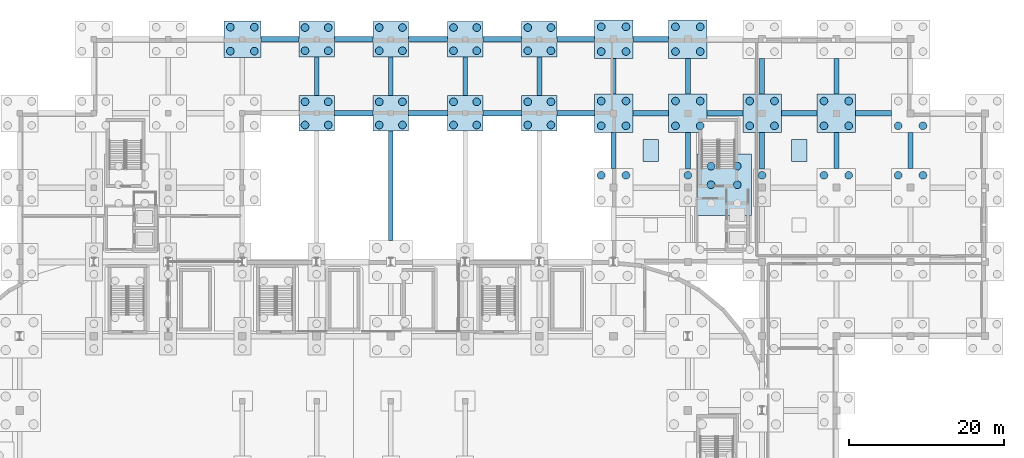
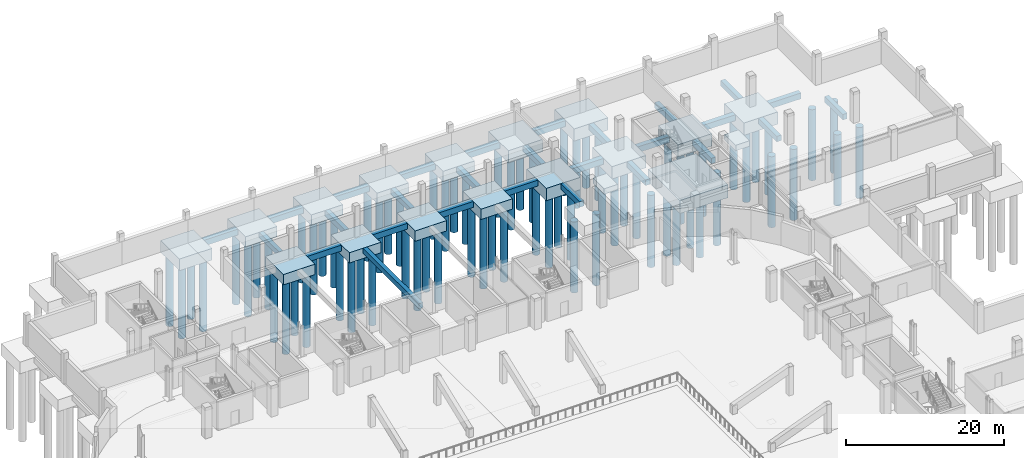
# One storey, part 11 of 67: 74 piles, 46 footings.
"""IFC4 building model written with IfcOpenShell, lengths in metres."""

from ifc_helpers import new_model, si_unit, direction, frame, origin, origin_2d, place, context, subcontext, project, spatial, polyline, rectangle, circle, outline, extrude, material, material_profile, profile_set, type_object, element, save


model = new_model("IFC4")

# Units and contexts
model_context = context("Model", 3, precision=1e-05, world=origin(), true_north=direction((0.0, 1.0)))
body_context = subcontext(model_context, "Body", "Model", "MODEL_VIEW")
ifc_project = project(units=[si_unit("LENGTHUNIT", "METRE"), si_unit("AREAUNIT", "SQUARE_METRE"), si_unit("VOLUMEUNIT", "CUBIC_METRE"), si_unit("PLANEANGLEUNIT", "RADIAN"), si_unit("MASSUNIT", "GRAM", prefix="KILO")], contexts=[model_context])

# Site, building, storey
site_placement = place(None, origin())
site = spatial("IfcSite", under=ifc_project, at=site_placement, CompositionType="ELEMENT")
building_placement = place(site_placement, origin())
building = spatial("IfcBuilding", under=site, at=building_placement, Name="Caelomonte Colonnade Arena", CompositionType="ELEMENT")
storey_placement = place(building_placement, frame((0.0, 0.0, -4.800048828125)))
storey = spatial("IfcBuildingStorey", under=building, at=storey_placement, Name="B1", CompositionType="ELEMENT", Elevation=-4.800048828125)

# Footings
ifc_material = material(Name="Concrete C40/50", Category="concrete")
footing_type_1 = type_object("IfcFootingType", Name="STR-FB-GB02", PredefinedType="FOOTING_BEAM", material=ifc_material)
footing_1_placement = place(storey_placement, frame((0.0, 0.0, -1.349853515625)))
element("IfcFooting", 1, at=footing_1_placement, inside=storey, type_object=footing_type_1, Name="Ground tie beam X (105.6..115.2, Y=134.4)", PredefinedType="FOOTING_BEAM", context=body_context, shape_type="SweptSolid", body=[
    extrude(outline(polyline([(107.89990234375, 134.050048828125), (112.89990234375, 134.050048828125), (112.89990234375, 134.75), (107.89990234375, 134.75), (107.89990234375, 134.050048828125)])), origin(), (0.0, 0.0, 1.0), 0.89990234375),
])
footing_2_placement = place(storey_placement, frame((0.0, 0.0, -1.349853515625)))
element("IfcFooting", 2, at=footing_2_placement, inside=storey, type_object=footing_type_1, Name="Ground tie beam X (115.2..124.8, Y=134.4)", PredefinedType="FOOTING_BEAM", context=body_context, shape_type="SweptSolid", body=[
    extrude(outline(polyline([(117.5, 134.050048828125), (122.5, 134.050048828125), (122.5, 134.75), (117.5, 134.75), (117.5, 134.050048828125)])), origin(), (0.0, 0.0, 1.0), 0.89990234375),
])
footing_3_placement = place(storey_placement, frame((0.0, 0.0, -1.349853515625)))
element("IfcFooting", 3, at=footing_3_placement, inside=storey, type_object=footing_type_1, Name="Ground tie beam X (124.8..134.4, Y=134.4)", PredefinedType="FOOTING_BEAM", context=body_context, shape_type="SweptSolid", body=[
    extrude(outline(polyline([(127.10009765625, 134.050048828125), (132.10009765625, 134.050048828125), (132.10009765625, 134.75), (127.10009765625, 134.75), (127.10009765625, 134.050048828125)])), origin(), (0.0, 0.0, 1.0), 0.89990234375),
])
footing_4_placement = place(storey_placement, frame((0.0, 0.0, -1.349853515625)))
element("IfcFooting", 4, at=footing_4_placement, inside=storey, type_object=footing_type_1, Name="Ground tie beam X (134.4..144.0, Y=134.4)", PredefinedType="FOOTING_BEAM", context=body_context, shape_type="SweptSolid", body=[
    extrude(outline(polyline([(136.699951171875, 134.050048828125), (141.52001953125, 134.050048828125), (141.52001953125, 134.75), (136.699951171875, 134.75), (136.699951171875, 134.050048828125)])), origin(), (0.0, 0.0, 1.0), 0.89990234375),
])
footing_5_placement = place(storey_placement, frame((0.0, 0.0, -1.349853515625)))
element("IfcFooting", 5, at=footing_5_placement, inside=storey, type_object=footing_type_1, Name="Ground tie beam X (144.0..153.6, Y=134.4)", PredefinedType="FOOTING_BEAM", context=body_context, shape_type="SweptSolid", body=[
    extrude(outline(polyline([(146.47998046875, 134.050048828125), (151.1201171875, 134.050048828125), (151.1201171875, 134.75), (146.47998046875, 134.75), (146.47998046875, 134.050048828125)])), origin(), (0.0, 0.0, 1.0), 0.89990234375),
])
footing_6_placement = place(storey_placement, frame((0.0, 0.0, -1.349853515625)))
element("IfcFooting", 6, at=footing_6_placement, inside=storey, type_object=footing_type_1, Name="Ground tie beam X (153.6..163.2, Y=134.4)", PredefinedType="FOOTING_BEAM", context=body_context, shape_type="SweptSolid", body=[
    extrude(outline(polyline([(156.080078125, 134.050048828125), (160.719970703125, 134.050048828125), (160.719970703125, 134.75), (156.080078125, 134.75), (156.080078125, 134.050048828125)])), origin(), (0.0, 0.0, 1.0), 0.89990234375),
])
footing_7_placement = place(storey_placement, frame((0.0, 0.0, -1.349853515625)))
element("IfcFooting", 7, at=footing_7_placement, inside=storey, type_object=footing_type_1, Name="Ground tie beam X (163.2..172.8, Y=134.4)", PredefinedType="FOOTING_BEAM", context=body_context, shape_type="SweptSolid", body=[
    extrude(outline(polyline([(165.679931640625, 134.050048828125), (170.320068359375, 134.050048828125), (170.320068359375, 134.75), (165.679931640625, 134.75), (165.679931640625, 134.050048828125)])), origin(), (0.0, 0.0, 1.0), 0.89990234375),
])
footing_8_placement = place(storey_placement, frame((0.0, 0.0, -1.349853515625)))
element("IfcFooting", 8, at=footing_8_placement, inside=storey, type_object=footing_type_1, Name="Ground tie beam X (172.8..182.4, Y=134.4)", PredefinedType="FOOTING_BEAM", context=body_context, shape_type="SweptSolid", body=[
    extrude(outline(polyline([(175.280029296875, 134.050048828125), (179.919921875, 134.050048828125), (179.919921875, 134.75), (175.280029296875, 134.75), (175.280029296875, 134.050048828125)])), origin(), (0.0, 0.0, 1.0), 0.89990234375),
])
footing_9_placement = place(storey_placement, frame((0.0, 0.0, -1.349853515625)))
element("IfcFooting", 9, at=footing_9_placement, inside=storey, type_object=footing_type_1, Name="Ground tie beam X (96.0..105.6, Y=144.0)", PredefinedType="FOOTING_BEAM", context=body_context, shape_type="SweptSolid", body=[
    extrude(outline(polyline([(98.3798828125, 143.64990234375), (103.300048828125, 143.64990234375), (103.300048828125, 144.35009765625), (98.3798828125, 144.35009765625), (98.3798828125, 143.64990234375)])), origin(), (0.0, 0.0, 1.0), 0.89990234375),
])
footing_10_placement = place(storey_placement, frame((0.0, 0.0, -1.349853515625)))
element("IfcFooting", 10, at=footing_10_placement, inside=storey, type_object=footing_type_1, Name="Ground tie beam X (105.6..115.2, Y=144.0)", PredefinedType="FOOTING_BEAM", context=body_context, shape_type="SweptSolid", body=[
    extrude(outline(polyline([(107.89990234375, 143.64990234375), (112.89990234375, 143.64990234375), (112.89990234375, 144.35009765625), (107.89990234375, 144.35009765625), (107.89990234375, 143.64990234375)])), origin(), (0.0, 0.0, 1.0), 0.89990234375),
])
footing_11_placement = place(storey_placement, frame((0.0, 0.0, -1.349853515625)))
element("IfcFooting", 11, at=footing_11_placement, inside=storey, type_object=footing_type_1, Name="Ground tie beam X (115.2..124.8, Y=144.0)", PredefinedType="FOOTING_BEAM", context=body_context, shape_type="SweptSolid", body=[
    extrude(outline(polyline([(117.5, 143.64990234375), (122.5, 143.64990234375), (122.5, 144.35009765625), (117.5, 144.35009765625), (117.5, 143.64990234375)])), origin(), (0.0, 0.0, 1.0), 0.89990234375),
])
footing_12_placement = place(storey_placement, frame((0.0, 0.0, -1.349853515625)))
element("IfcFooting", 12, at=footing_12_placement, inside=storey, type_object=footing_type_1, Name="Ground tie beam X (124.8..134.4, Y=144.0)", PredefinedType="FOOTING_BEAM", context=body_context, shape_type="SweptSolid", body=[
    extrude(outline(polyline([(127.10009765625, 143.64990234375), (132.10009765625, 143.64990234375), (132.10009765625, 144.35009765625), (127.10009765625, 144.35009765625), (127.10009765625, 143.64990234375)])), origin(), (0.0, 0.0, 1.0), 0.89990234375),
])
footing_13_placement = place(storey_placement, frame((0.0, 0.0, -1.349853515625)))
element("IfcFooting", 13, at=footing_13_placement, inside=storey, type_object=footing_type_1, Name="Ground tie beam X (134.4..144.0, Y=144.0)", PredefinedType="FOOTING_BEAM", context=body_context, shape_type="SweptSolid", body=[
    extrude(outline(polyline([(136.699951171875, 143.64990234375), (141.52001953125, 143.64990234375), (141.52001953125, 144.35009765625), (136.699951171875, 144.35009765625), (136.699951171875, 143.64990234375)])), origin(), (0.0, 0.0, 1.0), 0.89990234375),
])
footing_14_placement = place(storey_placement, frame((0.0, 0.0, -1.349853515625)))
element("IfcFooting", 14, at=footing_14_placement, inside=storey, type_object=footing_type_1, Name="Ground tie beam X (144.0..153.6, Y=144.0)", PredefinedType="FOOTING_BEAM", context=body_context, shape_type="SweptSolid", body=[
    extrude(outline(polyline([(146.47998046875, 143.64990234375), (151.1201171875, 143.64990234375), (151.1201171875, 144.35009765625), (146.47998046875, 144.35009765625), (146.47998046875, 143.64990234375)])), origin(), (0.0, 0.0, 1.0), 0.89990234375),
])
footing_type_2 = type_object("IfcFootingType", Name="STR-FB-GB03", PredefinedType="FOOTING_BEAM", material=ifc_material)
footing_15_placement = place(storey_placement, frame((0.0, 0.0, -1.300048828125)))
element("IfcFooting", 15, at=footing_15_placement, inside=storey, type_object=footing_type_2, Name="Ground tie beam Y (X=134.4, 134.4..144.0)", PredefinedType="FOOTING_BEAM", context=body_context, shape_type="SweptSolid", body=[
    extrude(outline(polyline([(134.074951171875, 136.699951171875), (134.72509765625, 136.699951171875), (134.72509765625, 141.699951171875), (134.074951171875, 141.699951171875), (134.074951171875, 136.699951171875)])), origin(), (0.0, 0.0, 1.0), 0.85009765625),
])
footing_16_placement = place(storey_placement, frame((0.0, 0.0, -1.300048828125)))
element("IfcFooting", 16, at=footing_16_placement, inside=storey, type_object=footing_type_2, Name="Ground tie beam Y (X=144.0, 124.8..134.4)", PredefinedType="FOOTING_BEAM", context=body_context, shape_type="SweptSolid", body=[
    extrude(outline(polyline([(143.675048828125, 127.280029296875), (144.324951171875, 127.280029296875), (144.324951171875, 131.919921875), (143.675048828125, 131.919921875), (143.675048828125, 127.280029296875)])), origin(), (0.0, 0.0, 1.0), 0.85009765625),
])
footing_17_placement = place(storey_placement, frame((0.0, 0.0, -1.300048828125)))
element("IfcFooting", 17, at=footing_17_placement, inside=storey, type_object=footing_type_2, Name="Ground tie beam Y (X=144.0, 134.4..144.0)", PredefinedType="FOOTING_BEAM", context=body_context, shape_type="SweptSolid", body=[
    extrude(outline(polyline([(143.675048828125, 136.8798828125), (144.324951171875, 136.8798828125), (144.324951171875, 141.52001953125), (143.675048828125, 141.52001953125), (143.675048828125, 136.8798828125)])), origin(), (0.0, 0.0, 1.0), 0.85009765625),
])
footing_18_placement = place(storey_placement, frame((0.0, 0.0, -1.300048828125)))
element("IfcFooting", 18, at=footing_18_placement, inside=storey, type_object=footing_type_2, Name="Ground tie beam Y (X=153.6, 124.8..134.4)", PredefinedType="FOOTING_BEAM", context=body_context, shape_type="SweptSolid", body=[
    extrude(outline(polyline([(153.27490234375, 127.239990234375), (153.925048828125, 127.239990234375), (153.925048828125, 131.919921875), (153.27490234375, 131.919921875), (153.27490234375, 127.239990234375)])), origin(), (0.0, 0.0, 1.0), 0.85009765625),
])
footing_19_placement = place(storey_placement, frame((0.0, 0.0, -1.300048828125)))
element("IfcFooting", 19, at=footing_19_placement, inside=storey, type_object=footing_type_2, Name="Ground tie beam Y (X=153.6, 134.4..144.0)", PredefinedType="FOOTING_BEAM", context=body_context, shape_type="SweptSolid", body=[
    extrude(outline(polyline([(153.27490234375, 136.8798828125), (153.925048828125, 136.8798828125), (153.925048828125, 141.52001953125), (153.27490234375, 141.52001953125), (153.27490234375, 136.8798828125)])), origin(), (0.0, 0.0, 1.0), 0.85009765625),
])
footing_20_placement = place(storey_placement, frame((0.0, 0.0, -1.300048828125)))
element("IfcFooting", 20, at=footing_20_placement, inside=storey, type_object=footing_type_2, Name="Ground tie beam Y (X=163.2, 124.8..134.4)", PredefinedType="FOOTING_BEAM", context=body_context, shape_type="SweptSolid", body=[
    extrude(outline(polyline([(162.875, 127.239990234375), (163.52490234375, 127.239990234375), (163.52490234375, 131.919921875), (162.875, 131.919921875), (162.875, 127.239990234375)])), origin(), (0.0, 0.0, 1.0), 0.85009765625),
])
footing_21_placement = place(storey_placement, frame((0.0, 0.0, -1.300048828125)))
element("IfcFooting", 21, at=footing_21_placement, inside=storey, type_object=footing_type_2, Name="Ground tie beam Y (X=163.2, 134.4..144.0)", PredefinedType="FOOTING_BEAM", context=body_context, shape_type="SweptSolid", body=[
    extrude(outline(polyline([(162.875, 136.8798828125), (163.52490234375, 136.8798828125), (163.52490234375, 141.52001953125), (162.875, 141.52001953125), (162.875, 136.8798828125)])), origin(), (0.0, 0.0, 1.0), 0.85009765625),
])
footing_22_placement = place(storey_placement, frame((0.0, 0.0, -1.300048828125)))
element("IfcFooting", 22, at=footing_22_placement, inside=storey, type_object=footing_type_2, Name="Ground tie beam Y (X=172.8, 124.8..134.4)", PredefinedType="FOOTING_BEAM", context=body_context, shape_type="SweptSolid", body=[
    extrude(outline(polyline([(172.47509765625, 127.280029296875), (173.125, 127.280029296875), (173.125, 131.919921875), (172.47509765625, 131.919921875), (172.47509765625, 127.280029296875)])), origin(), (0.0, 0.0, 1.0), 0.85009765625),
])
footing_23_placement = place(storey_placement, frame((0.0, 0.0, -1.300048828125)))
element("IfcFooting", 23, at=footing_23_placement, inside=storey, type_object=footing_type_2, Name="Ground tie beam Y (X=172.8, 134.4..144.0)", PredefinedType="FOOTING_BEAM", context=body_context, shape_type="SweptSolid", body=[
    extrude(outline(polyline([(172.47509765625, 136.8798828125), (173.125, 136.8798828125), (173.125, 141.52001953125), (172.47509765625, 141.52001953125), (172.47509765625, 136.8798828125)])), origin(), (0.0, 0.0, 1.0), 0.85009765625),
])
footing_24_placement = place(storey_placement, frame((0.0, 0.0, -1.300048828125)))
element("IfcFooting", 24, at=footing_24_placement, inside=storey, type_object=footing_type_2, Name="Ground tie beam Y (X=182.4, 124.8..134.4)", PredefinedType="FOOTING_BEAM", context=body_context, shape_type="SweptSolid", body=[
    extrude(outline(polyline([(182.074951171875, 127.280029296875), (182.72509765625, 127.280029296875), (182.72509765625, 131.919921875), (182.074951171875, 131.919921875), (182.074951171875, 127.280029296875)])), origin(), (0.0, 0.0, 1.0), 0.85009765625),
])
footing_type_3 = type_object("IfcFootingType", Name="STR-FB-GB04", PredefinedType="FOOTING_BEAM", material=ifc_material)
footing_25_placement = place(storey_placement, frame((0.0, 0.0, -1.25)))
element("IfcFooting", 25, at=footing_25_placement, inside=storey, type_object=footing_type_3, Name="Ground tie beam Y (X=105.6, 134.4..144.0)", PredefinedType="FOOTING_BEAM", context=body_context, shape_type="SweptSolid", body=[
    extrude(outline(polyline([(105.300048828125, 136.699951171875), (105.89990234375, 136.699951171875), (105.89990234375, 141.699951171875), (105.300048828125, 141.699951171875), (105.300048828125, 136.699951171875)])), origin(), (0.0, 0.0, 1.0), 0.800048828125),
])
footing_26_placement = place(storey_placement, frame((0.0, 0.0, -1.25)))
element("IfcFooting", 26, at=footing_26_placement, inside=storey, type_object=footing_type_3, Name="Ground tie beam Y (X=115.2, 115.2..134.4)", PredefinedType="FOOTING_BEAM", context=body_context, shape_type="SweptSolid", body=[
    extrude(outline(polyline([(114.89990234375, 118.0), (115.5, 118.0), (115.5, 132.10009765625), (114.89990234375, 132.10009765625), (114.89990234375, 118.0)])), origin(), (0.0, 0.0, 1.0), 0.800048828125),
])
footing_27_placement = place(storey_placement, frame((0.0, 0.0, -1.25)))
element("IfcFooting", 27, at=footing_27_placement, inside=storey, type_object=footing_type_3, Name="Ground tie beam Y (X=115.2, 134.4..144.0)", PredefinedType="FOOTING_BEAM", context=body_context, shape_type="SweptSolid", body=[
    extrude(outline(polyline([(114.89990234375, 136.699951171875), (115.5, 136.699951171875), (115.5, 141.699951171875), (114.89990234375, 141.699951171875), (114.89990234375, 136.699951171875)])), origin(), (0.0, 0.0, 1.0), 0.800048828125),
])
footing_28_placement = place(storey_placement, frame((0.0, 0.0, -1.25)))
element("IfcFooting", 28, at=footing_28_placement, inside=storey, type_object=footing_type_3, Name="Ground tie beam Y (X=124.8, 134.4..144.0)", PredefinedType="FOOTING_BEAM", context=body_context, shape_type="SweptSolid", body=[
    extrude(outline(polyline([(124.5, 136.699951171875), (125.10009765625, 136.699951171875), (125.10009765625, 141.699951171875), (124.5, 141.699951171875), (124.5, 136.699951171875)])), origin(), (0.0, 0.0, 1.0), 0.800048828125),
])
footing_type_4 = type_object("IfcFootingType", Name="STR-FC-PC03", PredefinedType="PILE_CAP", material=ifc_material)
for number, where, z_axis, x_axis, name in (
    (29, (144.0, 134.39990234375, -2.349853515625), (0.0, 0.0, 1.0), (1.0, 0.0, 0.0), "Pile cap FC-1440-1344"),
    (30, (144.0, 144.0, -2.349853515625), (0.0, 0.0, 1.0), (1.0, 0.0, 0.0), "Pile cap FC-1440-1440"),
    (31, (153.60009765625, 134.39990234375, -2.349853515625), (0.0, 0.0, 1.0), (1.0, 0.0, 0.0), "Pile cap FC-1536-1344"),
    (32, (153.60009765625, 144.0, -2.349853515625), (0.0, 0.0, 1.0), (1.0, 0.0, 0.0), "Pile cap FC-1536-1440"),
    (33, (163.199951171875, 134.39990234375, -2.349853515625), (0.0, 0.0, 1.0), (1.0, 0.0, 0.0), "Pile cap FC-1632-1344"),
    (34, (172.800048828125, 134.39990234375, -2.349853515625), (0.0, 0.0, 1.0), (1.0, 0.0, 0.0), "Pile cap FC-1728-1344"),
):
    element("IfcFooting", number, at=place(storey_placement, frame(where, z_axis=z_axis, x_axis=x_axis)), inside=storey, type_object=footing_type_4, Name=name, PredefinedType="PILE_CAP", context=body_context, shape_type="SweptSolid", body=[
        extrude(rectangle(XDim=4.9599609375, YDim=4.9599609375, at=origin_2d()), origin(), (0.0, 0.0, 1.0), 1.89990234375),
    ])
footing_type_5 = type_object("IfcFootingType", Name="STR-FC-PC04", PredefinedType="PILE_CAP", material=ifc_material)
footing_29_placement = place(storey_placement, frame((96.0, 144.0, -2.25), z_axis=(0.0, 0.0, 1.0), x_axis=(1.0, 0.0, 0.0)))
element("IfcFooting", 35, at=footing_29_placement, inside=storey, type_object=footing_type_5, Name="Pile cap FC-0960-1440", PredefinedType="PILE_CAP", context=body_context, shape_type="SweptSolid", body=[
    extrude(rectangle(XDim=4.760009765625, YDim=4.760009765625, at=origin_2d()), origin(), (0.0, 0.0, 1.0), 1.800048828125),
])
footing_type_6 = type_object("IfcFootingType", Name="STR-FC-PC09", PredefinedType="PILE_CAP", material=ifc_material)
for number, where, z_axis, x_axis, name in (
    (36, (105.60009765625, 134.39990234375, -2.050048828125), (0.0, 0.0, 1.0), (1.0, 0.0, 0.0), "Pile cap FC-1056-1344"),
    (37, (105.60009765625, 144.0, -2.050048828125), (0.0, 0.0, 1.0), (1.0, 0.0, 0.0), "Pile cap FC-1056-1440"),
    (38, (115.199951171875, 134.39990234375, -2.050048828125), (0.0, 0.0, 1.0), (1.0, 0.0, 0.0), "Pile cap FC-1152-1344"),
    (39, (115.199951171875, 144.0, -2.050048828125), (0.0, 0.0, 1.0), (1.0, 0.0, 0.0), "Pile cap FC-1152-1440"),
    (40, (124.800048828125, 134.39990234375, -2.050048828125), (0.0, 0.0, 1.0), (1.0, 0.0, 0.0), "Pile cap FC-1248-1344"),
    (41, (124.800048828125, 144.0, -2.050048828125), (0.0, 0.0, 1.0), (1.0, 0.0, 0.0), "Pile cap FC-1248-1440"),
    (42, (134.39990234375, 134.39990234375, -2.050048828125), (0.0, 0.0, 1.0), (1.0, 0.0, 0.0), "Pile cap FC-1344-1344"),
    (43, (134.39990234375, 144.0, -2.050048828125), (0.0, 0.0, 1.0), (1.0, 0.0, 0.0), "Pile cap FC-1344-1440"),
):
    element("IfcFooting", number, at=place(storey_placement, frame(where, z_axis=z_axis, x_axis=x_axis)), inside=storey, type_object=footing_type_6, Name=name, PredefinedType="PILE_CAP", context=body_context, shape_type="SweptSolid", body=[
        extrude(rectangle(XDim=4.60009765625, YDim=4.60009765625, at=origin_2d()), origin(), (0.0, 0.0, 1.0), 1.60009765625),
    ])
footing_type_7 = type_object("IfcFootingType", Name="STR-FC-PC11", PredefinedType="PILE_CAP", material=ifc_material)
footing_30_placement = place(storey_placement, frame((158.300048828125, 125.175048828125, -2.449951171875), z_axis=(0.0, 0.0, 1.0), x_axis=(1.0, 0.0, 0.0)))
element("IfcFooting", 44, at=footing_30_placement, inside=storey, type_object=footing_type_7, Name="Core C6 pile cap", PredefinedType="PILE_CAP", context=body_context, shape_type="SweptSolid", body=[
    extrude(rectangle(XDim=7.0, YDim=8.0, at=origin_2d()), origin(), (0.0, 0.0, 1.0), 2.0),
])
footing_type_8 = type_object("IfcFootingType", Name="STR-FD-PF03", PredefinedType="PAD_FOOTING", material=ifc_material)
for number, where, z_axis, x_axis, name in (
    (45, (148.800048828125, 129.60009765625, -1.300048828125), (0.0, 0.0, 1.0), (1.0, 0.0, 0.0), "Equipment pad footing PF-05"),
    (46, (168.0, 129.60009765625, -1.300048828125), (0.0, 0.0, 1.0), (1.0, 0.0, 0.0), "Equipment pad footing PF-06"),
):
    element("IfcFooting", number, at=place(storey_placement, frame(where, z_axis=z_axis, x_axis=x_axis)), inside=storey, type_object=footing_type_8, Name=name, PredefinedType="PAD_FOOTING", context=body_context, shape_type="SweptSolid", body=[
        extrude(rectangle(XDim=2.0, YDim=2.800048828125, at=origin_2d()), origin(), (0.0, 0.0, 1.0), 0.85009765625),
    ])

# Piles
ifc_material_profile = material_profile(ifc_material, circle(Radius=0.5, at=origin_2d()), Name="PILE-D1000")
ifc_profile_set = profile_set([ifc_material_profile], Name="Concrete C40/50")
pile_type = type_object("IfcPileType", Name="STR-PL-D1000", PredefinedType="BORED", material=ifc_profile_set)
for number, where, z_axis, x_axis, name in (
    (47, (156.60009765625, 125.175048828125, -2.349853515625), (0.0, 0.0, -1.0), (1.0, 0.0, 0.0), "Core C6 rock-socketed pile 2"),
    (48, (156.60009765625, 127.574951171875, -2.349853515625), (0.0, 0.0, -1.0), (1.0, 0.0, 0.0), "Core C6 rock-socketed pile 3"),
    (49, (160.0, 125.175048828125, -2.349853515625), (0.0, 0.0, -1.0), (1.0, 0.0, 0.0), "Core C6 rock-socketed pile 5"),
    (50, (160.0, 127.574951171875, -2.349853515625), (0.0, 0.0, -1.0), (1.0, 0.0, 0.0), "Core C6 rock-socketed pile 6"),
):
    element("IfcPile", number, at=place(storey_placement, frame(where, z_axis=z_axis, x_axis=x_axis)), inside=storey, type_object=pile_type, Name=name, PredefinedType="BORED", context=body_context, shape_type="SweptSolid", body=[
        extrude(circle(Radius=0.5, at=origin_2d()), origin(), (0.0, 0.0, 1.0), 10.85009765625),
    ])
for number, where, z_axis, x_axis, name in (
    (51, (94.449951171875, 142.449951171875, -2.14990234375), (0.0, 0.0, -1.0), (1.0, 0.0, 0.0), "Rock-socketed bored pile FC-0960-1440-1"),
    (52, (97.550048828125, 142.449951171875, -2.14990234375), (0.0, 0.0, -1.0), (1.0, 0.0, 0.0), "Rock-socketed bored pile FC-0960-1440-2"),
    (53, (94.449951171875, 145.550048828125, -2.14990234375), (0.0, 0.0, -1.0), (1.0, 0.0, 0.0), "Rock-socketed bored pile FC-0960-1440-3"),
    (54, (97.550048828125, 145.550048828125, -2.14990234375), (0.0, 0.0, -1.0), (1.0, 0.0, 0.0), "Rock-socketed bored pile FC-0960-1440-4"),
):
    element("IfcPile", number, at=place(storey_placement, frame(where, z_axis=z_axis, x_axis=x_axis)), inside=storey, type_object=pile_type, Name=name, PredefinedType="BORED", context=body_context, shape_type="SweptSolid", body=[
        extrude(circle(Radius=0.5, at=origin_2d()), origin(), (0.0, 0.0, 1.0), 11.050048828125),
    ])
for number, where, z_axis, x_axis, name in (
    (55, (104.10009765625, 132.89990234375, -1.949951171875), (0.0, 0.0, -1.0), (1.0, 0.0, 0.0), "Rock-socketed bored pile FC-1056-1344-1"),
    (56, (107.10009765625, 132.89990234375, -1.949951171875), (0.0, 0.0, -1.0), (1.0, 0.0, 0.0), "Rock-socketed bored pile FC-1056-1344-2"),
    (57, (104.10009765625, 135.89990234375, -1.949951171875), (0.0, 0.0, -1.0), (1.0, 0.0, 0.0), "Rock-socketed bored pile FC-1056-1344-3"),
    (58, (107.10009765625, 135.89990234375, -1.949951171875), (0.0, 0.0, -1.0), (1.0, 0.0, 0.0), "Rock-socketed bored pile FC-1056-1344-4"),
    (59, (104.10009765625, 142.5, -1.949951171875), (0.0, 0.0, -1.0), (1.0, 0.0, 0.0), "Rock-socketed bored pile FC-1056-1440-1"),
    (60, (107.10009765625, 142.5, -1.949951171875), (0.0, 0.0, -1.0), (1.0, 0.0, 0.0), "Rock-socketed bored pile FC-1056-1440-2"),
    (61, (104.10009765625, 145.5, -1.949951171875), (0.0, 0.0, -1.0), (1.0, 0.0, 0.0), "Rock-socketed bored pile FC-1056-1440-3"),
    (62, (107.10009765625, 145.5, -1.949951171875), (0.0, 0.0, -1.0), (1.0, 0.0, 0.0), "Rock-socketed bored pile FC-1056-1440-4"),
    (63, (113.699951171875, 132.89990234375, -1.949951171875), (0.0, 0.0, -1.0), (1.0, 0.0, 0.0), "Rock-socketed bored pile FC-1152-1344-1"),
    (64, (116.699951171875, 132.89990234375, -1.949951171875), (0.0, 0.0, -1.0), (1.0, 0.0, 0.0), "Rock-socketed bored pile FC-1152-1344-2"),
    (65, (113.699951171875, 135.89990234375, -1.949951171875), (0.0, 0.0, -1.0), (1.0, 0.0, 0.0), "Rock-socketed bored pile FC-1152-1344-3"),
    (66, (116.699951171875, 135.89990234375, -1.949951171875), (0.0, 0.0, -1.0), (1.0, 0.0, 0.0), "Rock-socketed bored pile FC-1152-1344-4"),
    (67, (113.699951171875, 142.5, -1.949951171875), (0.0, 0.0, -1.0), (1.0, 0.0, 0.0), "Rock-socketed bored pile FC-1152-1440-1"),
    (68, (116.699951171875, 142.5, -1.949951171875), (0.0, 0.0, -1.0), (1.0, 0.0, 0.0), "Rock-socketed bored pile FC-1152-1440-2"),
    (69, (113.699951171875, 145.5, -1.949951171875), (0.0, 0.0, -1.0), (1.0, 0.0, 0.0), "Rock-socketed bored pile FC-1152-1440-3"),
    (70, (116.699951171875, 145.5, -1.949951171875), (0.0, 0.0, -1.0), (1.0, 0.0, 0.0), "Rock-socketed bored pile FC-1152-1440-4"),
    (71, (123.300048828125, 132.89990234375, -1.949951171875), (0.0, 0.0, -1.0), (1.0, 0.0, 0.0), "Rock-socketed bored pile FC-1248-1344-1"),
    (72, (126.300048828125, 132.89990234375, -1.949951171875), (0.0, 0.0, -1.0), (1.0, 0.0, 0.0), "Rock-socketed bored pile FC-1248-1344-2"),
    (73, (123.300048828125, 135.89990234375, -1.949951171875), (0.0, 0.0, -1.0), (1.0, 0.0, 0.0), "Rock-socketed bored pile FC-1248-1344-3"),
    (74, (126.300048828125, 135.89990234375, -1.949951171875), (0.0, 0.0, -1.0), (1.0, 0.0, 0.0), "Rock-socketed bored pile FC-1248-1344-4"),
    (75, (123.300048828125, 142.5, -1.949951171875), (0.0, 0.0, -1.0), (1.0, 0.0, 0.0), "Rock-socketed bored pile FC-1248-1440-1"),
    (76, (126.300048828125, 142.5, -1.949951171875), (0.0, 0.0, -1.0), (1.0, 0.0, 0.0), "Rock-socketed bored pile FC-1248-1440-2"),
    (77, (123.300048828125, 145.5, -1.949951171875), (0.0, 0.0, -1.0), (1.0, 0.0, 0.0), "Rock-socketed bored pile FC-1248-1440-3"),
    (78, (126.300048828125, 145.5, -1.949951171875), (0.0, 0.0, -1.0), (1.0, 0.0, 0.0), "Rock-socketed bored pile FC-1248-1440-4"),
    (79, (132.89990234375, 132.89990234375, -1.949951171875), (0.0, 0.0, -1.0), (1.0, 0.0, 0.0), "Rock-socketed bored pile FC-1344-1344-1"),
    (80, (135.89990234375, 132.89990234375, -1.949951171875), (0.0, 0.0, -1.0), (1.0, 0.0, 0.0), "Rock-socketed bored pile FC-1344-1344-2"),
    (81, (132.89990234375, 135.89990234375, -1.949951171875), (0.0, 0.0, -1.0), (1.0, 0.0, 0.0), "Rock-socketed bored pile FC-1344-1344-3"),
    (82, (135.89990234375, 135.89990234375, -1.949951171875), (0.0, 0.0, -1.0), (1.0, 0.0, 0.0), "Rock-socketed bored pile FC-1344-1344-4"),
    (83, (132.89990234375, 142.5, -1.949951171875), (0.0, 0.0, -1.0), (1.0, 0.0, 0.0), "Rock-socketed bored pile FC-1344-1440-1"),
    (84, (135.89990234375, 142.5, -1.949951171875), (0.0, 0.0, -1.0), (1.0, 0.0, 0.0), "Rock-socketed bored pile FC-1344-1440-2"),
    (85, (132.89990234375, 145.5, -1.949951171875), (0.0, 0.0, -1.0), (1.0, 0.0, 0.0), "Rock-socketed bored pile FC-1344-1440-3"),
    (86, (135.89990234375, 145.5, -1.949951171875), (0.0, 0.0, -1.0), (1.0, 0.0, 0.0), "Rock-socketed bored pile FC-1344-1440-4"),
):
    element("IfcPile", number, at=place(storey_placement, frame(where, z_axis=z_axis, x_axis=x_axis)), inside=storey, type_object=pile_type, Name=name, PredefinedType="BORED", context=body_context, shape_type="SweptSolid", body=[
        extrude(circle(Radius=0.5, at=origin_2d()), origin(), (0.0, 0.0, 1.0), 11.25),
    ])
for number, where, z_axis, x_axis, name in (
    (87, (142.39990234375, 126.39990234375, -2.25), (0.0, 0.0, -1.0), (1.0, 0.0, 0.0), "Rock-socketed bored pile FC-1440-1248-3"),
    (88, (145.60009765625, 126.39990234375, -2.25), (0.0, 0.0, -1.0), (1.0, 0.0, 0.0), "Rock-socketed bored pile FC-1440-1248-4"),
    (89, (142.39990234375, 132.800048828125, -2.25), (0.0, 0.0, -1.0), (1.0, 0.0, 0.0), "Rock-socketed bored pile FC-1440-1344-1"),
    (90, (145.60009765625, 132.800048828125, -2.25), (0.0, 0.0, -1.0), (1.0, 0.0, 0.0), "Rock-socketed bored pile FC-1440-1344-2"),
    (91, (142.39990234375, 136.0, -2.25), (0.0, 0.0, -1.0), (1.0, 0.0, 0.0), "Rock-socketed bored pile FC-1440-1344-3"),
    (92, (145.60009765625, 136.0, -2.25), (0.0, 0.0, -1.0), (1.0, 0.0, 0.0), "Rock-socketed bored pile FC-1440-1344-4"),
    (93, (142.39990234375, 142.39990234375, -2.25), (0.0, 0.0, -1.0), (1.0, 0.0, 0.0), "Rock-socketed bored pile FC-1440-1440-1"),
    (94, (145.60009765625, 142.39990234375, -2.25), (0.0, 0.0, -1.0), (1.0, 0.0, 0.0), "Rock-socketed bored pile FC-1440-1440-2"),
    (95, (142.39990234375, 145.60009765625, -2.25), (0.0, 0.0, -1.0), (1.0, 0.0, 0.0), "Rock-socketed bored pile FC-1440-1440-3"),
    (96, (145.60009765625, 145.60009765625, -2.25), (0.0, 0.0, -1.0), (1.0, 0.0, 0.0), "Rock-socketed bored pile FC-1440-1440-4"),
):
    element("IfcPile", number, at=place(storey_placement, frame(where, z_axis=z_axis, x_axis=x_axis)), inside=storey, type_object=pile_type, Name=name, PredefinedType="BORED", context=body_context, shape_type="SweptSolid", body=[
        extrude(circle(Radius=0.5, at=origin_2d()), origin(), (0.0, 0.0, 1.0), 10.949951171875),
    ])
pile_1_placement = place(storey_placement, frame((153.60009765625, 126.39990234375, -2.050048828125), z_axis=(0.0, 0.0, -1.0), x_axis=(1.0, 0.0, 0.0)))
element("IfcPile", 97, at=pile_1_placement, inside=storey, type_object=pile_type, Name="Rock-socketed bored pile FC-1536-1248-2", PredefinedType="BORED", context=body_context, shape_type="SweptSolid", body=[
    extrude(circle(Radius=0.5, at=origin_2d()), origin(), (0.0, 0.0, 1.0), 11.14990234375),
])
for number, where, z_axis, x_axis, name in (
    (98, (152.0, 132.800048828125, -2.25), (0.0, 0.0, -1.0), (1.0, 0.0, 0.0), "Rock-socketed bored pile FC-1536-1344-1"),
    (99, (155.199951171875, 132.800048828125, -2.25), (0.0, 0.0, -1.0), (1.0, 0.0, 0.0), "Rock-socketed bored pile FC-1536-1344-2"),
    (100, (152.0, 136.0, -2.25), (0.0, 0.0, -1.0), (1.0, 0.0, 0.0), "Rock-socketed bored pile FC-1536-1344-3"),
    (101, (155.199951171875, 136.0, -2.25), (0.0, 0.0, -1.0), (1.0, 0.0, 0.0), "Rock-socketed bored pile FC-1536-1344-4"),
    (102, (152.0, 142.39990234375, -2.25), (0.0, 0.0, -1.0), (1.0, 0.0, 0.0), "Rock-socketed bored pile FC-1536-1440-1"),
    (103, (155.199951171875, 142.39990234375, -2.25), (0.0, 0.0, -1.0), (1.0, 0.0, 0.0), "Rock-socketed bored pile FC-1536-1440-2"),
    (104, (152.0, 145.60009765625, -2.25), (0.0, 0.0, -1.0), (1.0, 0.0, 0.0), "Rock-socketed bored pile FC-1536-1440-3"),
    (105, (155.199951171875, 145.60009765625, -2.25), (0.0, 0.0, -1.0), (1.0, 0.0, 0.0), "Rock-socketed bored pile FC-1536-1440-4"),
):
    element("IfcPile", number, at=place(storey_placement, frame(where, z_axis=z_axis, x_axis=x_axis)), inside=storey, type_object=pile_type, Name=name, PredefinedType="BORED", context=body_context, shape_type="SweptSolid", body=[
        extrude(circle(Radius=0.5, at=origin_2d()), origin(), (0.0, 0.0, 1.0), 10.949951171875),
    ])
pile_2_placement = place(storey_placement, frame((163.199951171875, 126.39990234375, -2.050048828125), z_axis=(0.0, 0.0, -1.0), x_axis=(1.0, 0.0, 0.0)))
element("IfcPile", 106, at=pile_2_placement, inside=storey, type_object=pile_type, Name="Rock-socketed bored pile FC-1632-1248-2", PredefinedType="BORED", context=body_context, shape_type="SweptSolid", body=[
    extrude(circle(Radius=0.5, at=origin_2d()), origin(), (0.0, 0.0, 1.0), 11.14990234375),
])
for number, where, z_axis, x_axis, name in (
    (107, (161.60009765625, 132.800048828125, -2.25), (0.0, 0.0, -1.0), (1.0, 0.0, 0.0), "Rock-socketed bored pile FC-1632-1344-1"),
    (108, (164.800048828125, 132.800048828125, -2.25), (0.0, 0.0, -1.0), (1.0, 0.0, 0.0), "Rock-socketed bored pile FC-1632-1344-2"),
    (109, (161.60009765625, 136.0, -2.25), (0.0, 0.0, -1.0), (1.0, 0.0, 0.0), "Rock-socketed bored pile FC-1632-1344-3"),
    (110, (164.800048828125, 136.0, -2.25), (0.0, 0.0, -1.0), (1.0, 0.0, 0.0), "Rock-socketed bored pile FC-1632-1344-4"),
    (111, (171.199951171875, 126.39990234375, -2.25), (0.0, 0.0, -1.0), (1.0, 0.0, 0.0), "Rock-socketed bored pile FC-1728-1248-3"),
    (112, (174.39990234375, 126.39990234375, -2.25), (0.0, 0.0, -1.0), (1.0, 0.0, 0.0), "Rock-socketed bored pile FC-1728-1248-4"),
    (113, (171.199951171875, 132.800048828125, -2.25), (0.0, 0.0, -1.0), (1.0, 0.0, 0.0), "Rock-socketed bored pile FC-1728-1344-1"),
    (114, (174.39990234375, 132.800048828125, -2.25), (0.0, 0.0, -1.0), (1.0, 0.0, 0.0), "Rock-socketed bored pile FC-1728-1344-2"),
    (115, (171.199951171875, 136.0, -2.25), (0.0, 0.0, -1.0), (1.0, 0.0, 0.0), "Rock-socketed bored pile FC-1728-1344-3"),
    (116, (174.39990234375, 136.0, -2.25), (0.0, 0.0, -1.0), (1.0, 0.0, 0.0), "Rock-socketed bored pile FC-1728-1344-4"),
    (117, (180.800048828125, 126.39990234375, -2.25), (0.0, 0.0, -1.0), (1.0, 0.0, 0.0), "Rock-socketed bored pile FC-1824-1248-3"),
    (118, (184.0, 126.39990234375, -2.25), (0.0, 0.0, -1.0), (1.0, 0.0, 0.0), "Rock-socketed bored pile FC-1824-1248-4"),
    (119, (180.800048828125, 132.800048828125, -2.25), (0.0, 0.0, -1.0), (1.0, 0.0, 0.0), "Rock-socketed bored pile FC-1824-1344-1"),
    (120, (184.0, 132.800048828125, -2.25), (0.0, 0.0, -1.0), (1.0, 0.0, 0.0), "Rock-socketed bored pile FC-1824-1344-2"),
):
    element("IfcPile", number, at=place(storey_placement, frame(where, z_axis=z_axis, x_axis=x_axis)), inside=storey, type_object=pile_type, Name=name, PredefinedType="BORED", context=body_context, shape_type="SweptSolid", body=[
        extrude(circle(Radius=0.5, at=origin_2d()), origin(), (0.0, 0.0, 1.0), 10.949951171875),
    ])

save(model, "model.ifc")
